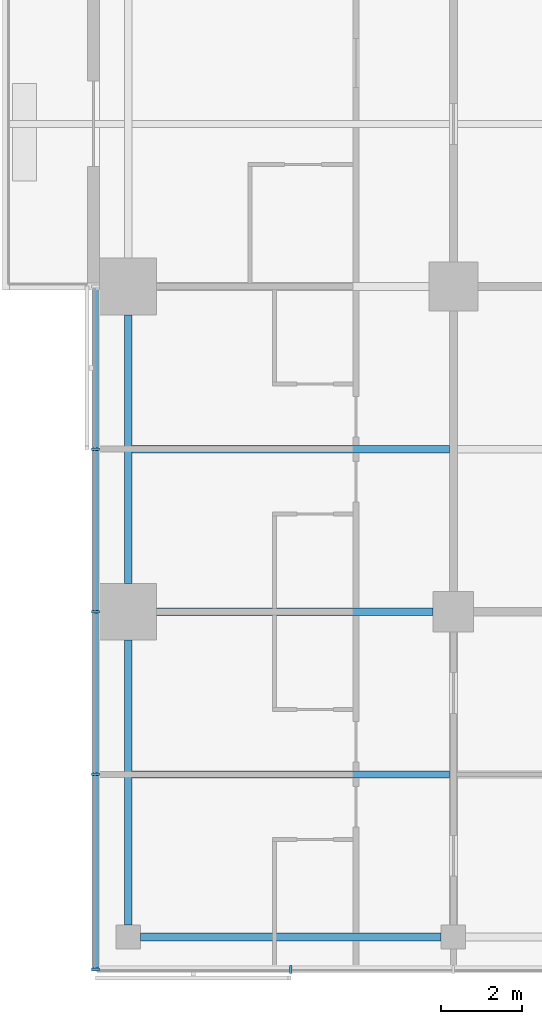
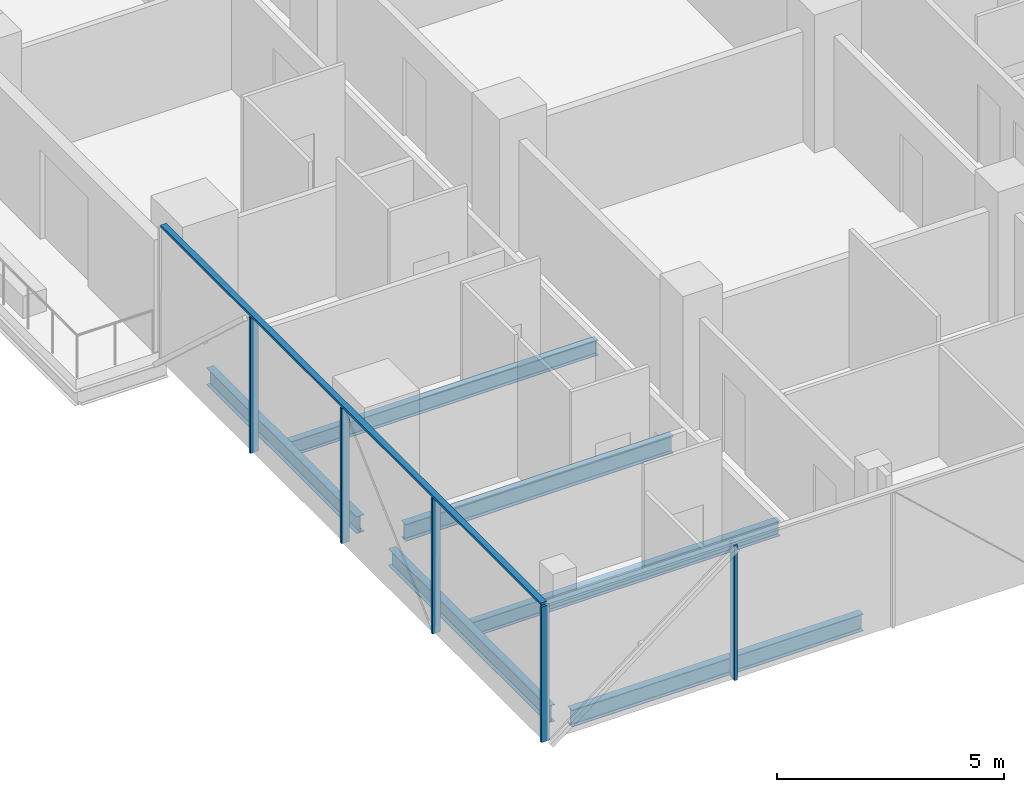
# One storey, part 2 of 29: 6 beams, 6 members, 2 elements without a shape of their own.
"""IFC4 building model written with IfcOpenShell, lengths in metres."""

import ifcopenshell
import ifcopenshell.guid

model = None  # the IFC model being written
_history = None  # IfcOwnerHistory: only IFC2X3 demands one
_inside = {}  # id of a spatial element -> (the spatial element, [elements in it])
_under = {}  # id of a project, library or spatial element -> (it, [spatial elements below it])
_declared = {}  # id of a project -> (the project, [libraries it declares])
_typed = {}  # id of a type object -> (the type object, [elements of that type])
_made_of = {}  # id of a material, layer set ... -> (it, [elements and type objects made of it])


def new_model(schema):
    """Start an empty IFC model of exactly this schema.

    Asked for "IFC4X3", IfcOpenShell would pick the latest addendum, in which some entities
    have other attributes; the version numbers below select the first issue.
    IFC2X3 requires an IfcOwnerHistory on every rooted entity: one is made here for all.
    """
    global model, _history
    if schema == "IFC4X3":
        model = ifcopenshell.file(schema_version=(4, 3, 0, 0))
    else:
        model = ifcopenshell.file(schema=schema)
    _inside.clear()
    _under.clear()
    _declared.clear()
    _typed.clear()
    _made_of.clear()
    _history = None
    if model.schema == "IFC2X3":
        org = make("IfcOrganization", Name="unknown")
        user = make(
            "IfcPersonAndOrganization",
            ThePerson=make("IfcPerson", FamilyName="unknown"),
            TheOrganization=org,
        )
        app = make(
            "IfcApplication",
            ApplicationDeveloper=org,
            Version="unknown",
            ApplicationFullName="unknown",
            ApplicationIdentifier="unknown",
        )
        _history = make(
            "IfcOwnerHistory",
            OwningUser=user,
            OwningApplication=app,
            ChangeAction="ADDED",
            CreationDate=0,
        )
    return model


def make(cls, **values):
    """One entity of the class cls with the attributes given. An attribute that is None is left unset."""
    return model.create_entity(
        cls, **{name: value for name, value in values.items() if value is not None}
    )


def rooted(cls, **values):
    """An entity with a GlobalId (a new one), such as an element, a storey or a relation."""
    return make(cls, GlobalId=ifcopenshell.guid.new(), OwnerHistory=_history, **values)


def si_unit(unit_type, name, prefix=None):
    """IfcSIUnit, for example si_unit("LENGTHUNIT", "METRE", prefix="MILLI")."""
    return make("IfcSIUnit", UnitType=unit_type, Prefix=prefix, Name=name)


def assignment(units):
    """IfcUnitAssignment: the units of a project."""
    return None if units is None else make("IfcUnitAssignment", Units=units)


def point(xyz):
    """IfcCartesianPoint."""
    return None if xyz is None else make("IfcCartesianPoint", Coordinates=xyz)


def direction(xyz):
    """IfcDirection."""
    return None if xyz is None else make("IfcDirection", DirectionRatios=xyz)


def frame(location, z_axis=None, x_axis=None):
    """IfcAxis2Placement3D, a coordinate frame: its origin and axes. An axis left out is left unset."""
    return make(
        "IfcAxis2Placement3D",
        Location=point(location),
        Axis=direction(z_axis),
        RefDirection=direction(x_axis),
    )


def frame_2d(location, x_axis=None):
    """IfcAxis2Placement2D, a coordinate frame in the plane: its origin and x axis."""
    return make(
        "IfcAxis2Placement2D", Location=point(location), RefDirection=direction(x_axis)
    )


def origin():
    """The frame at (0, 0, 0) with its axes left unset."""
    return frame((0.0, 0.0, 0.0))


def origin_2d():
    """The frame at (0, 0) in the plane with its x axis left unset."""
    return frame_2d((0.0, 0.0))


def place(relative_to, where):
    """IfcLocalPlacement: puts the frame where relative to a parent placement (None: the world)."""
    return make(
        "IfcLocalPlacement", PlacementRelTo=relative_to, RelativePlacement=where
    )


def context(
    kind, dimensions, precision=None, world=None, true_north=None, identifier=None
):
    """IfcGeometricRepresentationContext, for example the 3D "Model" context."""
    return make(
        "IfcGeometricRepresentationContext",
        ContextIdentifier=identifier,
        ContextType=kind,
        CoordinateSpaceDimension=dimensions,
        Precision=precision,
        WorldCoordinateSystem=world,
        TrueNorth=true_north,
    )


def subcontext(parent, identifier, kind, view, scale=None):
    """IfcGeometricRepresentationSubContext, for example "Body" below "Model"."""
    return make(
        "IfcGeometricRepresentationSubContext",
        ContextIdentifier=identifier,
        ContextType=kind,
        ParentContext=parent,
        TargetScale=scale,
        TargetView=view,
    )


def project(units=None, contexts=None):
    """IfcProject with its units and contexts."""
    return rooted(
        "IfcProject",
        Name="project",
        RepresentationContexts=contexts,
        UnitsInContext=assignment(units),
    )


def spatial(cls, under=None, at=None, **own):
    """A site, building, storey or space (cls), placed at a placement, below another one or the project."""
    s = rooted(cls, ObjectPlacement=at, **own)
    if under is not None:
        _under.setdefault(under.id(), (under, []))[1].append(s)
    return s


def profile(cls, at=None, kind="AREA", **sizes):
    """A parametric profile (cls). Its sizes go by their IFC names, for example OverallWidth=200.0."""
    return make(cls, ProfileType=kind, Position=at, **sizes)


def rectangle(**sizes):
    """IfcRectangleProfileDef."""
    return profile("IfcRectangleProfileDef", **sizes)


def i_section(**sizes):
    """IfcIShapeProfileDef."""
    return profile("IfcIShapeProfileDef", **sizes)


def extrude(swept, where, along, depth):
    """IfcExtrudedAreaSolid: the profile swept, set in the frame where, extruded along a direction by depth."""
    return make(
        "IfcExtrudedAreaSolid",
        SweptArea=swept,
        Position=where,
        ExtrudedDirection=direction(along),
        Depth=depth,
    )


def shape(context_of_items, identifier, shape_type, items):
    """IfcShapeRepresentation: the items that make up one representation, for example the "Body"."""
    return make(
        "IfcShapeRepresentation",
        ContextOfItems=context_of_items,
        RepresentationIdentifier=identifier,
        RepresentationType=shape_type,
        Items=items,
    )


def material(Name=None, Category=None):
    """IfcMaterial."""
    return make("IfcMaterial", Name=Name, Category=Category)


def material_profile(
    of_material, cross_section, Name=None, Category=None, Priority=None
):
    """IfcMaterialProfile: a cross section and its material."""
    return make(
        "IfcMaterialProfile",
        Name=Name,
        Material=of_material,
        Profile=cross_section,
        Priority=Priority,
        Category=Category,
    )


def profile_set(profiles, Name=None, composite=None):
    """IfcMaterialProfileSet."""
    return make(
        "IfcMaterialProfileSet",
        Name=Name,
        MaterialProfiles=profiles,
        CompositeProfile=composite,
    )


def made_of(thing, what):
    """Note that an element or type object is made of a material, layer set ...; save() writes the relation."""
    if what is not None:
        _made_of.setdefault(what.id(), (what, []))[1].append(thing)
    return thing


def type_object(cls, material=None, **own):
    """A type object (cls), such as IfcWallType, which elements share."""
    return made_of(rooted(cls, **own), material)


def element(
    cls,
    number,
    at=None,
    inside=None,
    cuts=None,
    type_object=None,
    material=None,
    context=None,
    identifier="Body",
    shape_type=None,
    held_by="IfcProductDefinitionShape",
    body=None,
    shapes=None,
    **own,
):
    """One element of the class cls, such as IfcWall. Its Tag is "e" and its number.

    at: its placement. inside: the storey or other place that contains it. cuts: it is an
    opening in that element (IfcRelVoidsElement). A single representation is given by context,
    identifier, shape_type and body (its items); several are given by shapes. held_by: the class
    of the entity that holds the representations. save() writes the other relations.
    """
    e = rooted(cls, Tag="e%d" % number, ObjectPlacement=at, **own)
    if body is not None:
        shapes = [shape(context, identifier, shape_type, body)]
    if shapes is not None:
        e.Representation = make(held_by, Representations=shapes)
    if inside is not None:
        _inside.setdefault(inside.id(), (inside, []))[1].append(e)
    if cuts is not None:
        rooted(
            "IfcRelVoidsElement", RelatingBuildingElement=cuts, RelatedOpeningElement=e
        )
    if type_object is not None:
        _typed.setdefault(type_object.id(), (type_object, []))[1].append(e)
    return made_of(e, material)


def aggregate(whole, parts):
    """IfcRelAggregates: a whole, such as a stair, and the parts it consists of."""
    return rooted("IfcRelAggregates", RelatingObject=whole, RelatedObjects=parts)


def save(model, path):
    """Write the relations noted so far, then the file.

    IfcRelAggregates (storeys below a building ...), IfcRelContainedInSpatialStructure (elements
    in a storey), IfcRelDefinesByType, IfcRelAssociatesMaterial and IfcRelDeclares: one each for
    every whole, place, type object, material and project.
    """
    for whole, parts in _under.values():
        aggregate(whole, parts)
    for where, things in _inside.values():
        rooted(
            "IfcRelContainedInSpatialStructure",
            RelatedElements=things,
            RelatingStructure=where,
        )
    for kind, things in _typed.values():
        rooted("IfcRelDefinesByType", RelatedObjects=things, RelatingType=kind)
    for what, things in _made_of.values():
        rooted("IfcRelAssociatesMaterial", RelatedObjects=things, RelatingMaterial=what)
    for by, libraries in _declared.values():
        rooted("IfcRelDeclares", RelatingContext=by, RelatedDefinitions=libraries)
    model.write(path)


model = new_model("IFC4")

# Units and contexts
model_context = context("Model", 3, precision=1e-05, world=origin(), true_north=direction((0.0, 1.0)))
body_context = subcontext(model_context, "Body", "Model", "MODEL_VIEW")
ifc_project = project(units=[si_unit("LENGTHUNIT", "METRE"), si_unit("AREAUNIT", "SQUARE_METRE"), si_unit("VOLUMEUNIT", "CUBIC_METRE"), si_unit("PLANEANGLEUNIT", "RADIAN"), si_unit("MASSUNIT", "GRAM", prefix="KILO")], contexts=[model_context])

# Site, building, storey
site_placement = place(None, origin())
site = spatial("IfcSite", under=ifc_project, at=site_placement, CompositionType="ELEMENT")
building_placement = place(site_placement, origin())
building = spatial("IfcBuilding", under=site, at=building_placement, Name="Crosswind Convention Tower", CompositionType="ELEMENT")
storey_placement = place(building_placement, frame((0.0, 0.0, 53.5)))
storey = spatial("IfcBuildingStorey", under=building, at=storey_placement, Name="L07", CompositionType="ELEMENT", Elevation=53.5)

# Beams
ifc_material_1 = material(Name="Steel S355", Category="steel")
ifc_material_profile_1 = material_profile(ifc_material_1, i_section(OverallWidth=0.1904296875, OverallDepth=0.457275390625, WebThickness=0.009033203125, FlangeThickness=0.014404296875, FilletRadius=0.01025390625, at=origin_2d()), Name="UB 457x191x75")
ifc_profile_set_1 = profile_set([ifc_material_profile_1], Name="Steel S355")
beam_type_1 = type_object("IfcBeamType", Name="Edge beam UB 457x191x75", PredefinedType="SPANDREL", material=ifc_profile_set_1)
beam_1_placement = place(storey_placement, frame((113.0, 64.300048828125, -0.508544921875), z_axis=(0.0, 1.0, 0.0), x_axis=(-1.0, 0.0, 0.0)))
element("IfcBeam", 1, at=beam_1_placement, inside=storey, type_object=beam_type_1, Name="B17 L07 edge beam 6", PredefinedType="SPANDREL", context=body_context, shape_type="SweptSolid", body=[
    extrude(i_section(OverallWidth=0.1904296875, OverallDepth=0.457275390625, WebThickness=0.009033203125, FlangeThickness=0.014404296875, FilletRadius=0.01025390625, at=origin_2d()), origin(), (0.0, 0.0, 1.0), 7.0),
])
beam_2_placement = place(storey_placement, frame((113.0, 72.699951171875, -0.508544921875), z_axis=(0.0, 1.0, 0.0), x_axis=(-1.0, 0.0, 0.0)))
element("IfcBeam", 2, at=beam_2_placement, inside=storey, type_object=beam_type_1, Name="B17 L07 edge beam 7", PredefinedType="SPANDREL", context=body_context, shape_type="SweptSolid", body=[
    extrude(i_section(OverallWidth=0.1904296875, OverallDepth=0.457275390625, WebThickness=0.009033203125, FlangeThickness=0.014404296875, FilletRadius=0.01025390625, at=origin_2d()), origin(), (0.0, 0.0, 1.0), 6.60009765625),
])
beam_3_placement = place(storey_placement, frame((113.300048828125, 64.0, -0.508544921875), z_axis=(1.0, 0.0, 0.0), x_axis=(0.0, 1.0, 0.0)))
element("IfcBeam", 3, at=beam_3_placement, inside=storey, type_object=beam_type_1, Name="B17 L07 edge beam 12", PredefinedType="SPANDREL", context=body_context, shape_type="SweptSolid", body=[
    extrude(i_section(OverallWidth=0.1904296875, OverallDepth=0.457275390625, WebThickness=0.009033203125, FlangeThickness=0.014404296875, FilletRadius=0.01025390625, at=origin_2d()), origin(), (0.0, 0.0, 1.0), 7.39990234375),
])
ifc_material_profile_2 = material_profile(ifc_material_1, i_section(OverallWidth=0.19140625, OverallDepth=0.460205078125, WebThickness=0.010009765625, FlangeThickness=0.01611328125, FilletRadius=0.01025390625, at=origin_2d()), Name="UB 457x191x82")
ifc_profile_set_2 = profile_set([ifc_material_profile_2], Name="Steel S355")
beam_type_2 = type_object("IfcBeamType", Name="Girder UB 457x191x82", PredefinedType="BEAM", material=ifc_profile_set_2)
beam_4_placement = place(storey_placement, frame((113.699951171875, 72.0, -0.510009765625), z_axis=(1.0, 0.0, 0.0), x_axis=(0.0, 1.0, 0.0)))
element("IfcBeam", 4, at=beam_4_placement, inside=storey, type_object=beam_type_2, Name="B3 L07 girder 1", PredefinedType="BEAM", context=body_context, shape_type="SweptSolid", body=[
    extrude(i_section(OverallWidth=0.19140625, OverallDepth=0.460205078125, WebThickness=0.010009765625, FlangeThickness=0.01611328125, FilletRadius=0.01025390625, at=origin_2d()), origin(), (0.0, 0.0, 1.0), 6.800048828125),
])

# Curtain wall, members
ifc_material_2 = material(Name="Aluminium unitised curtain wall", Category="aluminium")
curtain_wall_type = type_object("IfcCurtainWallType", Name="HOTEL UNITISED WALL 200", PredefinedType="USERDEFINED", material=ifc_material_2)
curtain_wall_1_placement = place(storey_placement, origin())
curtain_wall_1 = element("IfcCurtainWall", 5, at=curtain_wall_1_placement, inside=storey, type_object=curtain_wall_type, Name="CW2 L07 S-W 1", ObjectType="UNITISED", PredefinedType="USERDEFINED")
ifc_material_3 = material(Name="Aluminium mullion", Category="aluminium")
ifc_material_profile_3 = material_profile(ifc_material_3, rectangle(XDim=0.199951171875, YDim=0.06494140625, at=origin_2d()), Name="AL 200X65")
ifc_profile_set_3 = profile_set([ifc_material_profile_3], Name="Aluminium mullion")
member_type_1 = type_object("IfcMemberType", Name="MULLION 65X200", PredefinedType="MULLION", material=ifc_profile_set_3)
member_1_placement = place(storey_placement, frame((112.199951171875, 76.0, -0.280029296875), z_axis=(0.0, 0.0, 1.0), x_axis=(-1.0, 0.0, 0.0)))
member_1 = element("IfcMember", 6, at=member_1_placement, type_object=member_type_1, Name="CW2 mullion 2", PredefinedType="MULLION", context=body_context, shape_type="SweptSolid", body=[
    extrude(rectangle(XDim=0.199951171875, YDim=0.06494140625, at=origin_2d()), origin(), (0.0, 0.0, 1.0), 3.635009765625),
])
member_2_placement = place(storey_placement, frame((112.199951171875, 72.0, -0.280029296875), z_axis=(0.0, 0.0, 1.0), x_axis=(-1.0, 0.0, 0.0)))
member_2 = element("IfcMember", 7, at=member_2_placement, type_object=member_type_1, Name="CW2 mullion 3", PredefinedType="MULLION", context=body_context, shape_type="SweptSolid", body=[
    extrude(rectangle(XDim=0.199951171875, YDim=0.06494140625, at=origin_2d()), origin(), (0.0, 0.0, 1.0), 3.635009765625),
])
member_3_placement = place(storey_placement, frame((112.199951171875, 68.0, -0.280029296875), z_axis=(0.0, 0.0, 1.0), x_axis=(-1.0, 0.0, 0.0)))
member_3 = element("IfcMember", 8, at=member_3_placement, type_object=member_type_1, Name="CW2 mullion 4", PredefinedType="MULLION", context=body_context, shape_type="SweptSolid", body=[
    extrude(rectangle(XDim=0.199951171875, YDim=0.06494140625, at=origin_2d()), origin(), (0.0, 0.0, 1.0), 3.635009765625),
])
member_4_placement = place(storey_placement, frame((112.199951171875, 63.199951171875, -0.280029296875), z_axis=(0.0, 0.0, 1.0), x_axis=(-1.0, 0.0, 0.0)))
member_4 = element("IfcMember", 9, at=member_4_placement, type_object=member_type_1, Name="CW2 mullion 5", PredefinedType="MULLION", context=body_context, shape_type="SweptSolid", body=[
    extrude(rectangle(XDim=0.199951171875, YDim=0.06494140625, at=origin_2d()), origin(), (0.0, 0.0, 1.0), 3.635009765625),
])

# Curtain wall, member
curtain_wall_2_placement = place(storey_placement, origin())
curtain_wall_2 = element("IfcCurtainWall", 10, at=curtain_wall_2_placement, inside=storey, type_object=curtain_wall_type, Name="CW2 L07 S-TIP 1", ObjectType="UNITISED", PredefinedType="USERDEFINED")
member_5_placement = place(storey_placement, frame((117.0, 63.199951171875, -0.280029296875), z_axis=(0.0, 0.0, 1.0), x_axis=(0.0, -1.0, 0.0)))
member_5 = element("IfcMember", 11, at=member_5_placement, type_object=member_type_1, Name="CW2 mullion 2", PredefinedType="MULLION", context=body_context, shape_type="SweptSolid", body=[
    extrude(rectangle(XDim=0.199951171875, YDim=0.06494140625, at=origin_2d()), origin(), (0.0, 0.0, 1.0), 3.635009765625),
])
aggregate(curtain_wall_2, [member_5])

# Beams
ifc_material_profile_4 = material_profile(ifc_material_1, i_section(OverallWidth=0.177734375, OverallDepth=0.406494140625, WebThickness=0.0078125, FlangeThickness=0.0126953125, FilletRadius=0.01025390625, at=origin_2d()), Name="UB 406x178x60")
ifc_profile_set_4 = profile_set([ifc_material_profile_4], Name="Steel S355")
beam_type_3 = type_object("IfcBeamType", Name="Secondary beam UB 406x178x60", PredefinedType="JOIST", material=ifc_profile_set_4)
for number, where, z_axis, x_axis, name in (
    (12, (113.09521484375, 68.0, -0.483154296875), (1.0, 0.0, 0.0), (0.0, 1.0, 0.0), "B10 L07 secondary beam 7"),
    (13, (113.09521484375, 76.0, -0.483154296875), (1.0, 0.0, 0.0), (0.0, 1.0, 0.0), "B10 L07 secondary beam 8"),
):
    element("IfcBeam", number, at=place(storey_placement, frame(where, z_axis=z_axis, x_axis=x_axis)), inside=storey, type_object=beam_type_3, Name=name, PredefinedType="JOIST", context=body_context, shape_type="SweptSolid", body=[
        extrude(i_section(OverallWidth=0.177734375, OverallDepth=0.406494140625, WebThickness=0.0078125, FlangeThickness=0.0126953125, FilletRadius=0.01025390625, at=origin_2d()), origin(), (0.0, 0.0, 1.0), 7.80908203125),
    ])

# Member
ifc_material_4 = material(Name="Aluminium transom", Category="aluminium")
ifc_material_profile_5 = material_profile(ifc_material_4, rectangle(XDim=0.14990234375, YDim=0.06494140625, at=origin_2d()), Name="AL 150X65")
ifc_profile_set_5 = profile_set([ifc_material_profile_5], Name="Aluminium transom")
member_type_2 = type_object("IfcMemberType", Name="TRANSOM 65X150", PredefinedType="USERDEFINED", material=ifc_profile_set_5)
member_6_placement = place(storey_placement, frame((112.199951171875, 79.967529296875, 3.387451171875), z_axis=(0.0, -1.0, 0.0), x_axis=(1.0, 0.0, 0.0)))
member_6 = element("IfcMember", 14, at=member_6_placement, type_object=member_type_2, Name="CW2 transom", ObjectType="TRANSOM", PredefinedType="USERDEFINED", context=body_context, shape_type="SweptSolid", body=[
    extrude(rectangle(XDim=0.14990234375, YDim=0.06494140625, at=origin_2d()), origin(), (0.0, 0.0, 1.0), 16.735107421875),
])

aggregate(curtain_wall_1, [member_1, member_2, member_3, member_4, member_6])

save(model, "model.ifc")
